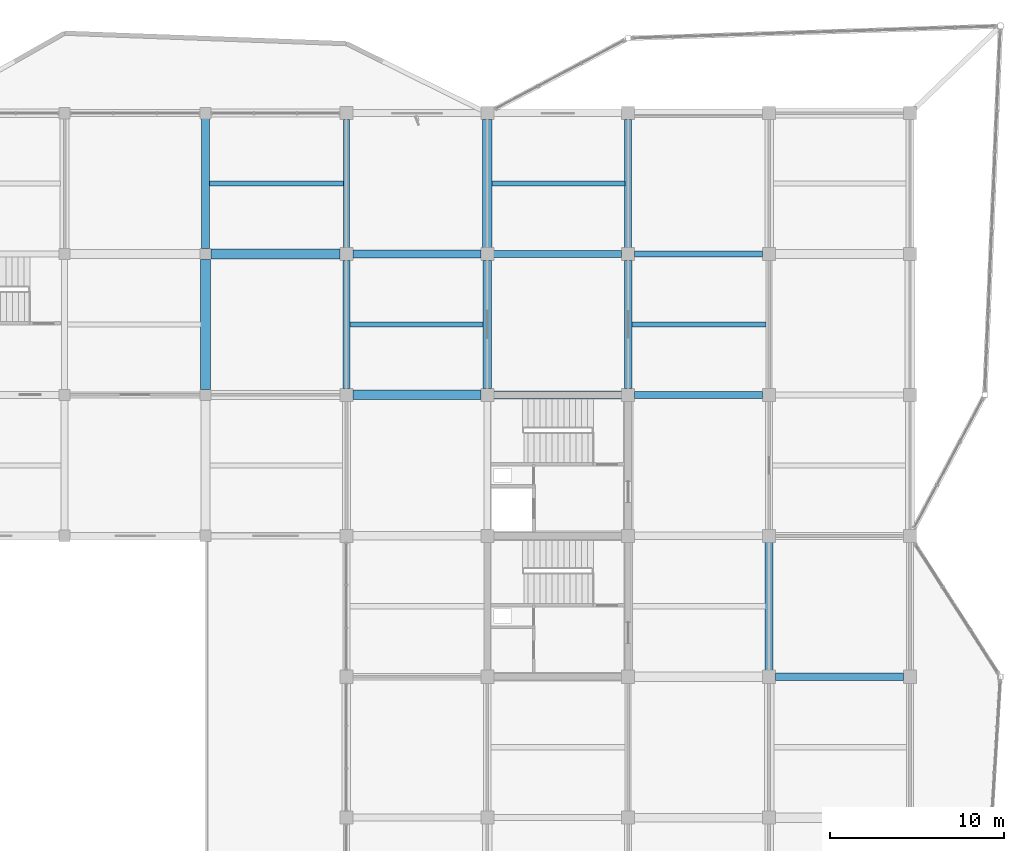
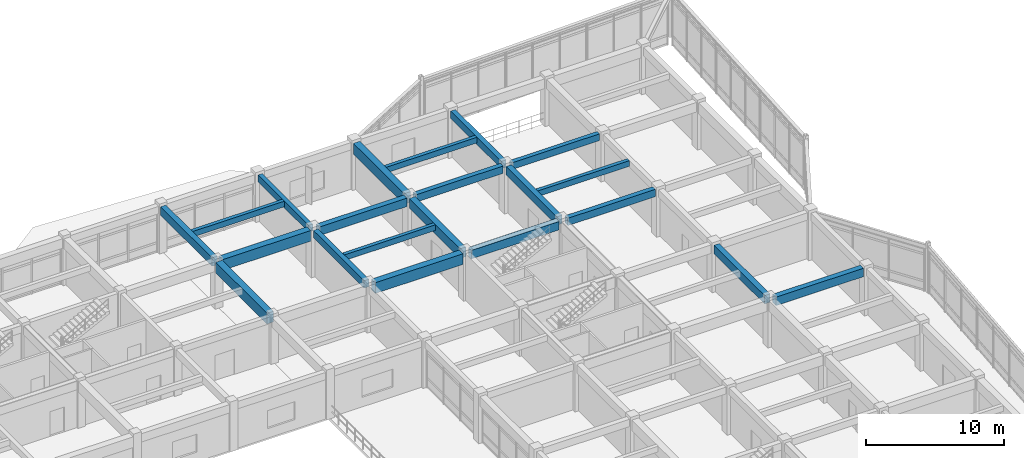
# One storey, part 32 of 70: 21 beams.
"""IFC4 building model written with IfcOpenShell, lengths in metres."""

from ifc_helpers import new_model, si_unit, direction, frame, origin, origin_2d, place, context, subcontext, project, spatial, rectangle, extrude, material, material_profile, profile_set, type_object, element, save


model = new_model("IFC4")

# Units and contexts
model_context = context("Model", 3, precision=1e-05, world=origin(), true_north=direction((0.0, 1.0)))
body_context = subcontext(model_context, "Body", "Model", "MODEL_VIEW")
ifc_project = project(units=[si_unit("LENGTHUNIT", "METRE"), si_unit("AREAUNIT", "SQUARE_METRE"), si_unit("VOLUMEUNIT", "CUBIC_METRE"), si_unit("PLANEANGLEUNIT", "RADIAN"), si_unit("MASSUNIT", "GRAM", prefix="KILO")], contexts=[model_context])

# Site, building, storey
site_placement = place(None, origin())
site = spatial("IfcSite", under=ifc_project, at=site_placement, CompositionType="ELEMENT")
building_placement = place(site_placement, origin())
building = spatial("IfcBuilding", under=site, at=building_placement, Name="Vaudrelin Polytechnic", CompositionType="ELEMENT")
storey_placement = place(building_placement, frame((0.0, 0.0, 14.110107421875)))
storey = spatial("IfcBuildingStorey", under=building, at=storey_placement, Name="L03", CompositionType="ELEMENT", Elevation=14.110107421875)

# Beams
ifc_material_1 = material(Name="Concrete 40 MPa", Category="concrete")
ifc_material_profile_1 = material_profile(ifc_material_1, rectangle(XDim=0.35009765625, YDim=0.60009765625, at=origin_2d()), Name="RC350x600")
ifc_profile_set_1 = profile_set([ifc_material_profile_1], Name="Concrete 40 MPa")
beam_type_1 = type_object("IfcBeamType", Name="BM-BM-RC3560", PredefinedType="BEAM", material=ifc_profile_set_1)
beam_1_placement = place(storey_placement, frame((137.699951171875, 113.760009765625, 3.849853515625), z_axis=(0.0, 1.0, 0.0), x_axis=(-1.0, 0.0, 0.0)))
element("IfcBeam", 1, at=beam_1_placement, inside=storey, type_object=beam_type_1, Name="L03 Y-beam 18-15", PredefinedType="BEAM", context=body_context, shape_type="SweptSolid", body=[
    extrude(rectangle(XDim=0.35009765625, YDim=0.60009765625, at=origin_2d()), origin(), (0.0, 0.0, 1.0), 7.3798828125),
])
beam_2_placement = place(storey_placement, frame((154.27099609375, 113.39990234375, 3.85986328125), z_axis=(1.0, 0.0, 0.0), x_axis=(0.0, 1.0, 0.0)))
element("IfcBeam", 2, at=beam_2_placement, inside=storey, type_object=beam_type_1, Name="L03 X-beam 20-15", PredefinedType="BEAM", context=body_context, shape_type="SweptSolid", body=[
    extrude(rectangle(XDim=0.35009765625, YDim=0.60009765625, at=origin_2d()), origin(), (0.0, 0.0, 1.0), 7.35791015625),
])
ifc_material_profile_2 = material_profile(ifc_material_1, rectangle(XDim=0.39990234375, YDim=0.64990234375, at=origin_2d()), Name="RC400x650")
ifc_profile_set_2 = profile_set([ifc_material_profile_2], Name="Concrete 40 MPa")
beam_type_2 = type_object("IfcBeamType", Name="BM-BM-RC4065", PredefinedType="BEAM", material=ifc_profile_set_2)
beam_3_placement = place(storey_placement, frame((137.699951171875, 105.659912109375, 3.824951171875), z_axis=(0.0, 1.0, 0.0), x_axis=(-1.0, 0.0, 0.0)))
element("IfcBeam", 3, at=beam_3_placement, inside=storey, type_object=beam_type_2, Name="L03 Y-beam 18-14", PredefinedType="BEAM", context=body_context, shape_type="SweptSolid", body=[
    extrude(rectangle(XDim=0.39990234375, YDim=0.64990234375, at=origin_2d()), origin(), (0.0, 0.0, 1.0), 7.380126953125),
])
beam_4_placement = place(storey_placement, frame((153.89990234375, 113.760009765625, 3.8349609375), z_axis=(0.0, 1.0, 0.0), x_axis=(-1.0, 0.0, 0.0)))
element("IfcBeam", 4, at=beam_4_placement, inside=storey, type_object=beam_type_2, Name="L03 Y-beam 20-15", PredefinedType="BEAM", context=body_context, shape_type="SweptSolid", body=[
    extrude(rectangle(XDim=0.39990234375, YDim=0.64990234375, at=origin_2d()), origin(), (0.0, 0.0, 1.0), 7.3798828125),
])
beam_5_placement = place(storey_placement, frame((146.1708984375, 113.39990234375, 3.8349609375), z_axis=(1.0, 0.0, 0.0), x_axis=(0.0, 1.0, 0.0)))
element("IfcBeam", 5, at=beam_5_placement, inside=storey, type_object=beam_type_2, Name="L03 X-beam 19-15", PredefinedType="BEAM", context=body_context, shape_type="SweptSolid", body=[
    extrude(rectangle(XDim=0.39990234375, YDim=0.64990234375, at=origin_2d()), origin(), (0.0, 0.0, 1.0), 7.358154296875),
])
beam_6_placement = place(storey_placement, frame((154.27099609375, 105.300048828125, 3.8349609375), z_axis=(1.0, 0.0, 0.0), x_axis=(0.0, 1.0, 0.0)))
element("IfcBeam", 6, at=beam_6_placement, inside=storey, type_object=beam_type_2, Name="L03 X-beam 20-14", PredefinedType="BEAM", context=body_context, shape_type="SweptSolid", body=[
    extrude(rectangle(XDim=0.39990234375, YDim=0.64990234375, at=origin_2d()), origin(), (0.0, 0.0, 1.0), 7.35791015625),
])
ifc_material_profile_3 = material_profile(ifc_material_1, rectangle(XDim=0.449951171875, YDim=0.75, at=origin_2d()), Name="RC450x750")
ifc_profile_set_3 = profile_set([ifc_material_profile_3], Name="Concrete 40 MPa")
beam_type_3 = type_object("IfcBeamType", Name="BM-BM-RC4575", PredefinedType="BEAM", material=ifc_profile_set_3)
beam_7_placement = place(storey_placement, frame((129.60009765625, 113.7099609375, 3.77490234375), z_axis=(0.0, 1.0, 0.0), x_axis=(-1.0, 0.0, 0.0)))
element("IfcBeam", 7, at=beam_7_placement, inside=storey, type_object=beam_type_3, Name="L03 Y-beam 17-15", PredefinedType="BEAM", context=body_context, shape_type="SweptSolid", body=[
    extrude(rectangle(XDim=0.449951171875, YDim=0.75, at=origin_2d()), origin(), (0.0, 0.0, 1.0), 7.47998046875),
])
for number, where, z_axis, x_axis, name in (
    (8, (153.89990234375, 105.659912109375, 3.784912109375), (0.0, 1.0, 0.0), (-1.0, 0.0, 0.0), "L03 Y-beam 20-14"),
    (9, (162.0, 89.4599609375, 3.784912109375), (0.0, 1.0, 0.0), (-1.0, 0.0, 0.0), "L03 Y-beam 21-12"),
):
    element("IfcBeam", number, at=place(storey_placement, frame(where, z_axis=z_axis, x_axis=x_axis)), inside=storey, type_object=beam_type_3, Name=name, PredefinedType="BEAM", context=body_context, shape_type="SweptSolid", body=[
        extrude(rectangle(XDim=0.449951171875, YDim=0.75, at=origin_2d()), origin(), (0.0, 0.0, 1.0), 7.380126953125),
    ])
beam_8_placement = place(storey_placement, frame((138.071044921875, 113.39990234375, 3.784912109375), z_axis=(1.0, 0.0, 0.0), x_axis=(0.0, 1.0, 0.0)))
element("IfcBeam", 10, at=beam_8_placement, inside=storey, type_object=beam_type_3, Name="L03 X-beam 18-15", PredefinedType="BEAM", context=body_context, shape_type="SweptSolid", body=[
    extrude(rectangle(XDim=0.449951171875, YDim=0.75, at=origin_2d()), origin(), (0.0, 0.0, 1.0), 7.35791015625),
])
beam_9_placement = place(storey_placement, frame((146.1708984375, 105.300048828125, 3.784912109375), z_axis=(1.0, 0.0, 0.0), x_axis=(0.0, 1.0, 0.0)))
element("IfcBeam", 11, at=beam_9_placement, inside=storey, type_object=beam_type_3, Name="L03 X-beam 19-14", PredefinedType="BEAM", context=body_context, shape_type="SweptSolid", body=[
    extrude(rectangle(XDim=0.449951171875, YDim=0.75, at=origin_2d()), origin(), (0.0, 0.0, 1.0), 7.358154296875),
])
beam_10_placement = place(storey_placement, frame((162.37109375, 89.10009765625, 3.784912109375), z_axis=(1.0, 0.0, 0.0), x_axis=(0.0, 1.0, 0.0)))
element("IfcBeam", 12, at=beam_10_placement, inside=storey, type_object=beam_type_3, Name="L03 X-beam 21-12", PredefinedType="BEAM", context=body_context, shape_type="SweptSolid", body=[
    extrude(rectangle(XDim=0.449951171875, YDim=0.75, at=origin_2d()), origin(), (0.0, 0.0, 1.0), 7.35791015625),
])
ifc_material_profile_4 = material_profile(ifc_material_1, rectangle(XDim=0.5, YDim=0.85009765625, at=origin_2d()), Name="RC500x850")
ifc_profile_set_4 = profile_set([ifc_material_profile_4], Name="Concrete 40 MPa")
beam_type_4 = type_object("IfcBeamType", Name="BM-BM-RC5085", PredefinedType="BEAM", material=ifc_profile_set_4)
beam_11_placement = place(storey_placement, frame((145.800048828125, 105.659912109375, 3.73486328125), z_axis=(0.0, 1.0, 0.0), x_axis=(-1.0, 0.0, 0.0)))
element("IfcBeam", 13, at=beam_11_placement, inside=storey, type_object=beam_type_4, Name="L03 Y-beam 19-14", PredefinedType="BEAM", context=body_context, shape_type="SweptSolid", body=[
    extrude(rectangle(XDim=0.5, YDim=0.85009765625, at=origin_2d()), origin(), (0.0, 0.0, 1.0), 7.380126953125),
])
ifc_material_2 = material(Name="Concrete 50 MPa", Category="concrete")
ifc_material_profile_5 = material_profile(ifc_material_2, rectangle(XDim=0.550048828125, YDim=0.949951171875, at=origin_2d()), Name="RC550x950")
ifc_profile_set_5 = profile_set([ifc_material_profile_5], Name="Concrete 50 MPa")
beam_type_5 = type_object("IfcBeamType", Name="BM-BM-RC5595", PredefinedType="BEAM", material=ifc_profile_set_5)
beam_12_placement = place(storey_placement, frame((129.60009765625, 105.610107421875, 3.6748046875), z_axis=(0.0, 1.0, 0.0), x_axis=(-1.0, 0.0, 0.0)))
element("IfcBeam", 14, at=beam_12_placement, inside=storey, type_object=beam_type_5, Name="L03 Y-beam 17-14", PredefinedType="BEAM", context=body_context, shape_type="SweptSolid", body=[
    extrude(rectangle(XDim=0.550048828125, YDim=0.949951171875, at=origin_2d()), origin(), (0.0, 0.0, 1.0), 7.47998046875),
])
beam_13_placement = place(storey_placement, frame((145.800048828125, 113.760009765625, 3.684814453125), z_axis=(0.0, 1.0, 0.0), x_axis=(-1.0, 0.0, 0.0)))
element("IfcBeam", 15, at=beam_13_placement, inside=storey, type_object=beam_type_5, Name="L03 Y-beam 19-15", PredefinedType="BEAM", context=body_context, shape_type="SweptSolid", body=[
    extrude(rectangle(XDim=0.550048828125, YDim=0.949951171875, at=origin_2d()), origin(), (0.0, 0.0, 1.0), 7.3798828125),
])
beam_14_placement = place(storey_placement, frame((129.9208984375, 113.39990234375, 3.6748046875), z_axis=(1.0, 0.0, 0.0), x_axis=(0.0, 1.0, 0.0)))
element("IfcBeam", 16, at=beam_14_placement, inside=storey, type_object=beam_type_5, Name="L03 X-beam 17-15", PredefinedType="BEAM", context=body_context, shape_type="SweptSolid", body=[
    extrude(rectangle(XDim=0.550048828125, YDim=0.949951171875, at=origin_2d()), origin(), (0.0, 0.0, 1.0), 7.408203125),
])
beam_15_placement = place(storey_placement, frame((138.071044921875, 105.300048828125, 3.684814453125), z_axis=(1.0, 0.0, 0.0), x_axis=(0.0, 1.0, 0.0)))
element("IfcBeam", 17, at=beam_15_placement, inside=storey, type_object=beam_type_5, Name="L03 X-beam 18-14", PredefinedType="BEAM", context=body_context, shape_type="SweptSolid", body=[
    extrude(rectangle(XDim=0.550048828125, YDim=0.949951171875, at=origin_2d()), origin(), (0.0, 0.0, 1.0), 7.35791015625),
])
ifc_material_profile_6 = material_profile(ifc_material_1, rectangle(XDim=0.300048828125, YDim=0.5, at=origin_2d()), Name="RC300x500")
ifc_profile_set_6 = profile_set([ifc_material_profile_6], Name="Concrete 40 MPa")
beam_type_6 = type_object("IfcBeamType", Name="BM-JS-RC3050", PredefinedType="JOIST", material=ifc_profile_set_6)
beam_16_placement = place(storey_placement, frame((129.821044921875, 117.449951171875, 3.89990234375), z_axis=(1.0, 0.0, 0.0), x_axis=(0.0, 1.0, 0.0)))
element("IfcBeam", 18, at=beam_16_placement, inside=storey, type_object=beam_type_6, Name="L03 floor joist 17-15", PredefinedType="JOIST", context=body_context, shape_type="SweptSolid", body=[
    extrude(rectangle(XDim=0.300048828125, YDim=0.5, at=origin_2d()), origin(), (0.0, 0.0, 1.0), 7.7080078125),
])
beam_17_placement = place(storey_placement, frame((137.89599609375, 109.35009765625, 3.909912109375), z_axis=(1.0, 0.0, 0.0), x_axis=(0.0, 1.0, 0.0)))
element("IfcBeam", 19, at=beam_17_placement, inside=storey, type_object=beam_type_6, Name="L03 floor joist 18-14", PredefinedType="JOIST", context=body_context, shape_type="SweptSolid", body=[
    extrude(rectangle(XDim=0.300048828125, YDim=0.5, at=origin_2d()), origin(), (0.0, 0.0, 1.0), 7.657958984375),
])
beam_18_placement = place(storey_placement, frame((146.071044921875, 117.449951171875, 3.909912109375), z_axis=(1.0, 0.0, 0.0), x_axis=(0.0, 1.0, 0.0)))
element("IfcBeam", 20, at=beam_18_placement, inside=storey, type_object=beam_type_6, Name="L03 floor joist 19-15", PredefinedType="JOIST", context=body_context, shape_type="SweptSolid", body=[
    extrude(rectangle(XDim=0.300048828125, YDim=0.5, at=origin_2d()), origin(), (0.0, 0.0, 1.0), 7.633056640625),
])
beam_19_placement = place(storey_placement, frame((154.12109375, 109.35009765625, 3.909912109375), z_axis=(1.0, 0.0, 0.0), x_axis=(0.0, 1.0, 0.0)))
element("IfcBeam", 21, at=beam_19_placement, inside=storey, type_object=beam_type_6, Name="L03 floor joist 20-14", PredefinedType="JOIST", context=body_context, shape_type="SweptSolid", body=[
    extrude(rectangle(XDim=0.300048828125, YDim=0.5, at=origin_2d()), origin(), (0.0, 0.0, 1.0), 7.7080078125),
])

save(model, "model.ifc")
